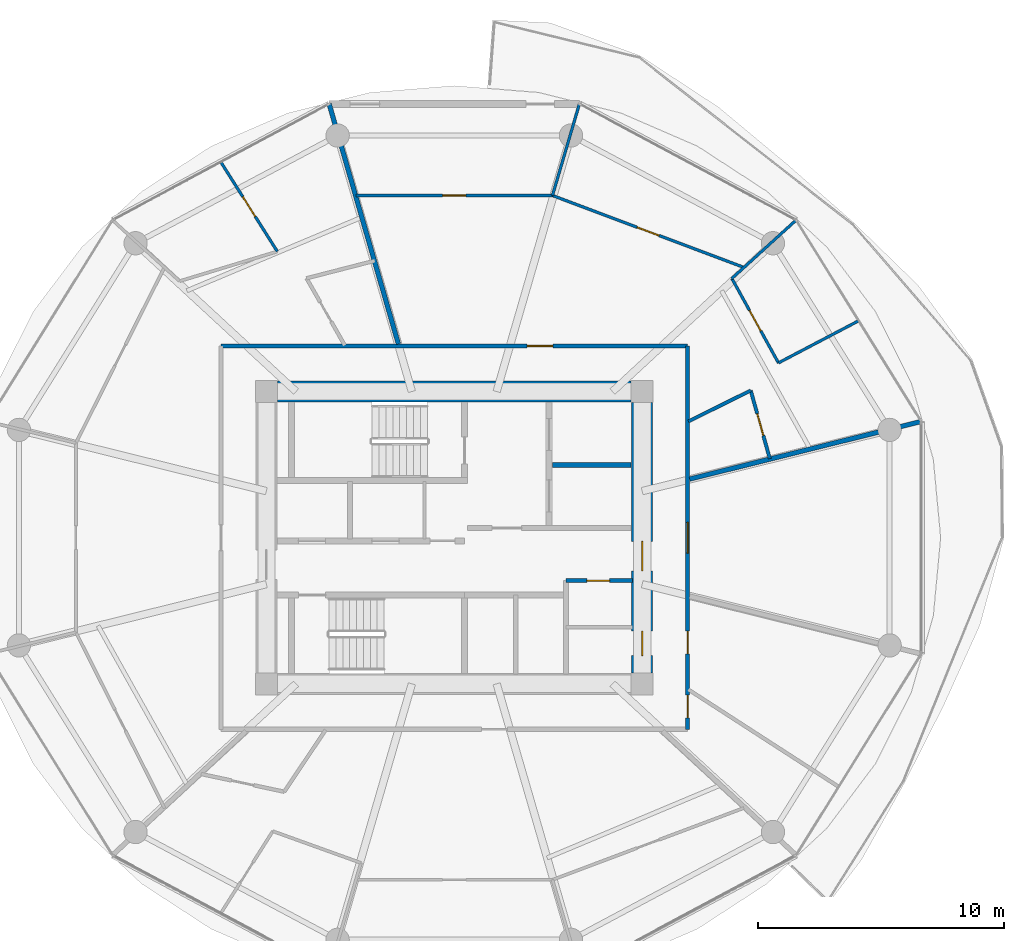
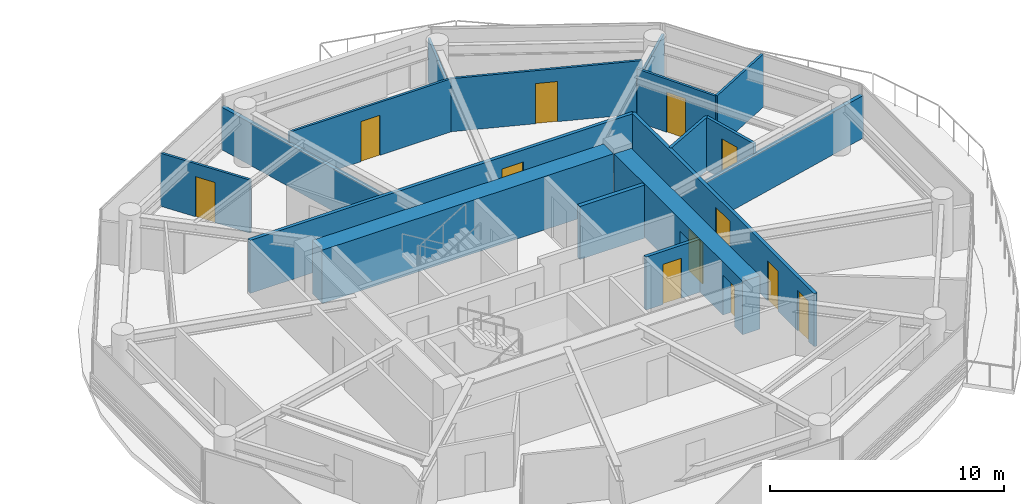
# One storey, part 21 of 28: 17 walls, 12 doors, 12 openings.
"""IFC4 building model written with IfcOpenShell, lengths in metres."""

from ifc_helpers import new_model, si_unit, direction, frame, frame_2d, origin, place, context, subcontext, project, spatial, rectangle, extrude, source, transform, mapped, material, layer, layer_set, type_object, type_shapes, element, fill, save


model = new_model("IFC4")

# Units and contexts
model_context = context("Model", 3, precision=1e-05, world=origin(), true_north=direction((0.0, 1.0)))
body_context = subcontext(model_context, "Body", "Model", "MODEL_VIEW")
ifc_project = project(units=[si_unit("LENGTHUNIT", "METRE"), si_unit("AREAUNIT", "SQUARE_METRE"), si_unit("VOLUMEUNIT", "CUBIC_METRE"), si_unit("PLANEANGLEUNIT", "RADIAN"), si_unit("MASSUNIT", "GRAM", prefix="KILO")], contexts=[model_context])

# Site, building, storey
site_placement = place(None, origin())
site = spatial("IfcSite", under=ifc_project, at=site_placement, CompositionType="ELEMENT")
building_placement = place(site_placement, origin())
building = spatial("IfcBuilding", under=site, at=building_placement, Name="Norrkilde Senior Care Towers", CompositionType="ELEMENT")
storey_placement = place(building_placement, frame((0.0, 0.0, 39.89990234375)))
storey = spatial("IfcBuildingStorey", under=building, at=storey_placement, Name="L11", CompositionType="ELEMENT", Elevation=39.89990234375)

# Wall
ifc_material_1 = material(Name="Concrete C60/75", Category="concrete")
ifc_layer_1 = layer(ifc_material_1, 0.85009765625)
ifc_layer_set_1 = layer_set([ifc_layer_1], Name="Concrete C60/75")
wall_type_1 = type_object("IfcWallType", Name="Core Shear Wall Z1 850", PredefinedType="SHEAR", material=ifc_layer_set_1)
shared_shape_1 = source(origin(), body_context, "Body", "SweptSolid", [
    extrude(rectangle(XDim=14.39990234375, YDim=0.85009765625, at=frame_2d((7.199951171875, 0.0))), origin(), (0.0, 0.0, 1.0), 2.7900390625),
])
wall_1_placement = place(storey_placement, frame((20.800048828125, 5.949951171875, 0.0), z_axis=(0.0, 0.0, 1.0), x_axis=(1.0, 0.0, 0.0)))
element("IfcWall", 1, at=wall_1_placement, inside=storey, type_object=wall_type_1, Name="L11 Core E North Shear Wall", PredefinedType="SHEAR", context=body_context, shape_type="MappedRepresentation", body=[
    mapped(shared_shape_1, transform((0.0, 0.0, 0.0), x_axis=(1.0, 0.0, 0.0), y_axis=(0.0, 1.0, 0.0), z_axis=(0.0, 0.0, 1.0), scale=1.0)),
])

# Wall, openings, doors
shared_shape_2 = source(origin(), body_context, "Body", "SweptSolid", [
    extrude(rectangle(XDim=11.0, YDim=0.85009765625, at=frame_2d((5.5, 0.0))), origin(), (0.0, 0.0, 1.0), 2.7900390625),
])
type_shapes(wall_type_1, [shared_shape_1, shared_shape_2])
wall_2_placement = place(storey_placement, frame((35.64990234375, 5.5, 0.0), z_axis=(0.0, 0.0, 1.0), x_axis=(0.0, -1.0, 0.0)))
wall_2 = element("IfcWall", 2, at=wall_2_placement, inside=storey, type_object=wall_type_1, Name="L11 Core E East Shear Wall", PredefinedType="SHEAR", context=body_context, shape_type="MappedRepresentation", body=[
    mapped(shared_shape_2, transform((0.0, 0.0, 0.0), x_axis=(1.0, 0.0, 0.0), y_axis=(0.0, 1.0, 0.0), z_axis=(0.0, 0.0, 1.0), scale=1.0)),
])
opening_1_placement = place(wall_2_placement, frame((5.64990234375, 0.0, 0.0)))
opening_1 = element("IfcOpeningElement", 3, at=opening_1_placement, cuts=wall_2, Name="Opening D-04", PredefinedType="OPENING", context=body_context, shape_type="SweptSolid", body=[
    extrude(rectangle(XDim=1.199951171875, YDim=2.14990234375, at=frame_2d((0.60009765625, 1.074951171875))), frame((0.0, 0.43505859375, 0.0), z_axis=(0.0, -1.0, 0.0), x_axis=(1.0, 0.0, 0.0)), (0.0, 0.0, 1.0), 0.8701171875),
])
opening_2_placement = place(wall_2_placement, frame((9.300048828125, 0.0, 0.0)))
opening_2 = element("IfcOpeningElement", 4, at=opening_2_placement, cuts=wall_2, Name="Opening D-10", PredefinedType="OPENING", context=body_context, shape_type="SweptSolid", body=[
    extrude(rectangle(XDim=1.0, YDim=2.10009765625, at=frame_2d((0.5, 1.050048828125))), frame((0.0, 0.43505859375, 0.0), z_axis=(0.0, -1.0, 0.0), x_axis=(1.0, 0.0, 0.0)), (0.0, 0.0, 1.0), 0.8701171875),
])
ifc_material_2 = material(Name="Galvanised Painted Steel", Category="steel")
door_type_1 = type_object("IfcDoorType", Name="Firefighting Lobby Fire Door 1200x2150", OperationType="NOTDEFINED", PredefinedType="DOOR", material=ifc_material_2)
shared_shape_3 = source(origin(), body_context, "Body", "SweptSolid", [
    extrude(rectangle(XDim=1.199951171875, YDim=2.14990234375, at=frame_2d((0.60009765625, 1.074951171875))), frame((0.0, 0.02490234375, 0.0), z_axis=(0.0, -1.0, 0.0), x_axis=(1.0, 0.0, 0.0)), (0.0, 0.0, 1.0), 0.050048828125),
])
type_shapes(door_type_1, [shared_shape_3])
door_1_placement = place(opening_1_placement, frame((1.199951171875, 0.0, 0.0), z_axis=(0.0, 0.0, 1.0), x_axis=(-1.0, 0.0, 0.0)))
door_1 = element("IfcDoor", 5, at=door_1_placement, inside=storey, type_object=door_type_1, Name="L11 Core E East Portal Door", OperationType="SINGLE_SWING_RIGHT", OverallHeight=2.14990234375, OverallWidth=1.199951171875, PredefinedType="DOOR", context=body_context, shape_type="MappedRepresentation", body=[
    mapped(shared_shape_3, transform((0.0, 0.0, 0.0), x_axis=(1.0, 0.0, 0.0), y_axis=(0.0, 1.0, 0.0), z_axis=(0.0, 0.0, 1.0), scale=1.0)),
])
fill(opening_1, door_1)
door_type_2 = type_object("IfcDoorType", Name="Plant and Riser Rated Door 1000x2100", OperationType="NOTDEFINED", PredefinedType="DOOR", material=ifc_material_2)
shared_shape_4 = source(origin(), body_context, "Body", "SweptSolid", [
    extrude(rectangle(XDim=1.0, YDim=2.10009765625, at=frame_2d((0.5, 1.050048828125))), frame((0.0, 0.02490234375, 0.0), z_axis=(0.0, -1.0, 0.0), x_axis=(1.0, 0.0, 0.0)), (0.0, 0.0, 1.0), 0.050048828125),
])
type_shapes(door_type_2, [shared_shape_4])
door_2_placement = place(opening_2_placement, frame((1.0, 0.0, 0.0), z_axis=(0.0, 0.0, 1.0), x_axis=(-1.0, 0.0, 0.0)))
door_2 = element("IfcDoor", 6, at=door_2_placement, inside=storey, type_object=door_type_2, Name="L11 Ventilation Riser E Door", OperationType="SINGLE_SWING_RIGHT", OverallHeight=2.10009765625, OverallWidth=1.0, PredefinedType="DOOR", context=body_context, shape_type="MappedRepresentation", body=[
    mapped(shared_shape_4, transform((0.0, 0.0, 0.0), x_axis=(1.0, 0.0, 0.0), y_axis=(0.0, 1.0, 0.0), z_axis=(0.0, 0.0, 1.0), scale=1.0)),
])
fill(opening_2, door_2)

# Wall
ifc_material_3 = material(Name="Concrete C45/55", Category="concrete")
ifc_layer_2 = layer(ifc_material_3, 0.199951171875)
ifc_layer_set_2 = layer_set([ifc_layer_2], Name="Concrete C45/55")
wall_type_2 = type_object("IfcWallType", Name="Shaft Division and Plant Partition 200", PredefinedType="PARTITIONING", material=ifc_layer_set_2)
shared_shape_5 = source(origin(), body_context, "Body", "SweptSolid", [
    extrude(rectangle(XDim=3.199951171875, YDim=0.199951171875, at=frame_2d((1.60009765625, 0.0))), origin(), (0.0, 0.0, 1.0), 2.775146484375),
])
type_shapes(wall_type_2, [shared_shape_5])
wall_3_placement = place(storey_placement, frame((32.0, 2.949951171875, 0.0), z_axis=(0.0, 0.0, 1.0), x_axis=(1.0, 0.0, 0.0)))
element("IfcWall", 7, at=wall_3_placement, inside=storey, type_object=wall_type_2, Name="WL-INT-L11-E-FFLDIV", PredefinedType="PARTITIONING", context=body_context, shape_type="MappedRepresentation", body=[
    mapped(shared_shape_5, transform((0.0, 0.0, 0.0), x_axis=(1.0, 0.0, 0.0), y_axis=(0.0, 1.0, 0.0), z_axis=(0.0, 0.0, 1.0), scale=1.0)),
])

# Wall, opening, door
ifc_material_4 = material(Name="Gypsum Acoustic Board")
ifc_layer_3 = layer(ifc_material_4, 0.1650390625)
ifc_layer_set_3 = layer_set([ifc_layer_3], Name="Gypsum Acoustic Board")
wall_type_3 = type_object("IfcWallType", Name="Corridor Rated Partition 165", PredefinedType="PARTITIONING", material=ifc_layer_set_3)
shared_shape_6 = source(origin(), body_context, "Body", "SweptSolid", [
    extrude(rectangle(XDim=2.699951171875, YDim=0.1650390625, at=frame_2d((1.35009765625, 0.0))), origin(), (0.0, 0.0, 1.0), 2.775146484375),
])
wall_4_placement = place(storey_placement, frame((32.550048828125, -1.75, 0.0), z_axis=(0.0, 0.0, 1.0), x_axis=(1.0, 0.0, 0.0)))
wall_4 = element("IfcWall", 8, at=wall_4_placement, inside=storey, type_object=wall_type_3, Name="WL-INT-L11-E-CSN", PredefinedType="PARTITIONING", context=body_context, shape_type="MappedRepresentation", body=[
    mapped(shared_shape_6, transform((0.0, 0.0, 0.0), x_axis=(1.0, 0.0, 0.0), y_axis=(0.0, 1.0, 0.0), z_axis=(0.0, 0.0, 1.0), scale=1.0)),
])
opening_3_placement = place(wall_4_placement, frame((0.85009765625, 0.0, 0.0)))
opening_3 = element("IfcOpeningElement", 9, at=opening_3_placement, cuts=wall_4, Name="Opening D-12", PredefinedType="OPENING", context=body_context, shape_type="SweptSolid", body=[
    extrude(rectangle(XDim=0.925048828125, YDim=2.10009765625, at=frame_2d((0.46240234375, 1.050048828125))), frame((0.0, 0.092529296875, 0.0), z_axis=(0.0, -1.0, 0.0), x_axis=(1.0, 0.0, 0.0)), (0.0, 0.0, 1.0), 0.18505859375),
])
door_type_3 = type_object("IfcDoorType", Name="Core Wet Room Rated Door 925x2100", OperationType="NOTDEFINED", PredefinedType="DOOR", material=ifc_material_2)
shared_shape_7 = source(origin(), body_context, "Body", "SweptSolid", [
    extrude(rectangle(XDim=0.925048828125, YDim=2.10009765625, at=frame_2d((0.46240234375, 1.050048828125))), frame((0.0, 0.02490234375, 0.0), z_axis=(0.0, -1.0, 0.0), x_axis=(1.0, 0.0, 0.0)), (0.0, 0.0, 1.0), 0.050048828125),
])
type_shapes(door_type_3, [shared_shape_7])
door_3_placement = place(opening_3_placement, origin())
door_3 = element("IfcDoor", 10, at=door_3_placement, inside=storey, type_object=door_type_3, Name="L11 Staff WC E Door", OperationType="SINGLE_SWING_LEFT", OverallHeight=2.10009765625, OverallWidth=0.925048828125, PredefinedType="DOOR", context=body_context, shape_type="MappedRepresentation", body=[
    mapped(shared_shape_7, transform((0.0, 0.0, 0.0), x_axis=(1.0, 0.0, 0.0), y_axis=(0.0, 1.0, 0.0), z_axis=(0.0, 0.0, 1.0), scale=1.0)),
])
fill(opening_3, door_3)

shared_shape_8 = source(origin(), body_context, "Body", "SweptSolid", [
    extrude(rectangle(XDim=19.0, YDim=0.1650390625, at=frame_2d((9.5, 0.0))), origin(), (0.0, 0.0, 1.0), 2.775146484375),
])
wall_5_placement = place(storey_placement, frame((18.5, 7.800048828125, 0.0), z_axis=(0.0, 0.0, 1.0), x_axis=(1.0, 0.0, 0.0)))
wall_5 = element("IfcWall", 11, at=wall_5_placement, inside=storey, type_object=wall_type_3, Name="WL-INT-L11-E-CRW-N-0", PredefinedType="PARTITIONING", context=body_context, shape_type="MappedRepresentation", body=[
    mapped(shared_shape_8, transform((0.0, 0.0, 0.0), x_axis=(1.0, 0.0, 0.0), y_axis=(0.0, 1.0, 0.0), z_axis=(0.0, 0.0, 1.0), scale=1.0)),
])
opening_4_placement = place(wall_5_placement, frame((12.462158203125, 0.0, 0.0)))
opening_4 = element("IfcOpeningElement", 12, at=opening_4_placement, cuts=wall_5, Name="Opening D-06", PredefinedType="OPENING", context=body_context, shape_type="SweptSolid", body=[
    extrude(rectangle(XDim=1.050048828125, YDim=2.14990234375, at=frame_2d((0.52490234375, 1.074951171875))), frame((0.0, 0.092529296875, 0.0), z_axis=(0.0, -1.0, 0.0), x_axis=(1.0, 0.0, 0.0)), (0.0, 0.0, 1.0), 0.18505859375),
])
ifc_material_5 = material(Name="Nordic Ash Timber", Category="wood")
door_type_4 = type_object("IfcDoorType", Name="Apartment Entrance Fire Door 1050x2150", OperationType="NOTDEFINED", PredefinedType="DOOR", material=ifc_material_5)
shared_shape_9 = source(origin(), body_context, "Body", "SweptSolid", [
    extrude(rectangle(XDim=1.050048828125, YDim=2.14990234375, at=frame_2d((0.52490234375, 1.074951171875))), frame((0.0, 0.02490234375, 0.0), z_axis=(0.0, -1.0, 0.0), x_axis=(1.0, 0.0, 0.0)), (0.0, 0.0, 1.0), 0.050048828125),
])
type_shapes(door_type_4, [shared_shape_9])
door_4_placement = place(opening_4_placement, frame((1.050048828125, 0.0, 0.0), z_axis=(0.0, 0.0, 1.0), x_axis=(-1.0, 0.0, 0.0)))
door_4 = element("IfcDoor", 13, at=door_4_placement, inside=storey, type_object=door_type_4, Name="Apartment 11E Entrance Door", OperationType="SINGLE_SWING_LEFT", OverallHeight=2.14990234375, OverallWidth=1.050048828125, PredefinedType="DOOR", context=body_context, shape_type="MappedRepresentation", body=[
    mapped(shared_shape_9, transform((0.0, 0.0, 0.0), x_axis=(1.0, 0.0, 0.0), y_axis=(0.0, 1.0, 0.0), z_axis=(0.0, 0.0, 1.0), scale=1.0)),
])
fill(opening_4, door_4)

# Wall, openings, doors
shared_shape_10 = source(origin(), body_context, "Body", "SweptSolid", [
    extrude(rectangle(XDim=15.60009765625, YDim=0.1650390625, at=frame_2d((7.800048828125, 0.0))), origin(), (0.0, 0.0, 1.0), 2.775146484375),
])
type_shapes(wall_type_3, [shared_shape_6, shared_shape_8, shared_shape_10])
wall_6_placement = place(storey_placement, frame((37.5, 7.800048828125, 0.0), z_axis=(0.0, 0.0, 1.0), x_axis=(0.0, -1.0, 0.0)))
wall_6 = element("IfcWall", 14, at=wall_6_placement, inside=storey, type_object=wall_type_3, Name="WL-INT-L11-E-CRW-E-0", PredefinedType="PARTITIONING", context=body_context, shape_type="MappedRepresentation", body=[
    mapped(shared_shape_10, transform((0.0, 0.0, 0.0), x_axis=(1.0, 0.0, 0.0), y_axis=(0.0, 1.0, 0.0), z_axis=(0.0, 0.0, 1.0), scale=1.0)),
])
opening_5_placement = place(wall_6_placement, frame((14.214599609375, 0.0, 0.0)))
opening_5 = element("IfcOpeningElement", 15, at=opening_5_placement, cuts=wall_6, Name="Opening D-08", PredefinedType="OPENING", context=body_context, shape_type="SweptSolid", body=[
    extrude(rectangle(XDim=0.919921875, YDim=2.10009765625, at=frame_2d((0.4599609375, 1.050048828125))), frame((0.0, 0.092529296875, 0.0), z_axis=(0.0, -1.0, 0.0), x_axis=(1.0, 0.0, 0.0)), (0.0, 0.0, 1.0), 0.18505859375),
])
opening_6_placement = place(wall_6_placement, frame((11.609130859375, 0.0, 0.0)))
opening_6 = element("IfcOpeningElement", 16, at=opening_6_placement, cuts=wall_6, Name="Opening D-08", PredefinedType="OPENING", context=body_context, shape_type="SweptSolid", body=[
    extrude(rectangle(XDim=0.919921875, YDim=2.10009765625, at=frame_2d((0.4599609375, 1.050048828125))), frame((0.0, 0.092529296875, 0.0), z_axis=(0.0, -1.0, 0.0), x_axis=(1.0, 0.0, 0.0)), (0.0, 0.0, 1.0), 0.18505859375),
])
opening_7_placement = place(wall_6_placement, frame((7.175048828125, 0.0, 0.0)))
opening_7 = element("IfcOpeningElement", 17, at=opening_7_placement, cuts=wall_6, Name="Opening D-05", PredefinedType="OPENING", context=body_context, shape_type="SweptSolid", body=[
    extrude(rectangle(XDim=1.25, YDim=2.199951171875, at=frame_2d((0.625, 1.10009765625))), frame((0.0, 0.092529296875, 0.0), z_axis=(0.0, -1.0, 0.0), x_axis=(1.0, 0.0, 0.0)), (0.0, 0.0, 1.0), 0.18505859375),
])
door_type_5 = type_object("IfcDoorType", Name="Care Bedroom Bariatric Door 1250x2200", OperationType="NOTDEFINED", PredefinedType="DOOR", material=ifc_material_5)
shared_shape_11 = source(origin(), body_context, "Body", "SweptSolid", [
    extrude(rectangle(XDim=1.25, YDim=2.199951171875, at=frame_2d((0.625, 1.10009765625))), frame((0.0, 0.02490234375, 0.0), z_axis=(0.0, -1.0, 0.0), x_axis=(1.0, 0.0, 0.0)), (0.0, 0.0, 1.0), 0.050048828125),
])
type_shapes(door_type_5, [shared_shape_11])
door_5_placement = place(opening_7_placement, frame((1.25, 0.0, 0.0), z_axis=(0.0, 0.0, 1.0), x_axis=(-1.0, 0.0, 0.0)))
door_5 = element("IfcDoor", 18, at=door_5_placement, inside=storey, type_object=door_type_5, Name="L11 Senior Wellness Library Lounge Door", OperationType="SINGLE_SWING_RIGHT", OverallHeight=2.199951171875, OverallWidth=1.25, PredefinedType="DOOR", context=body_context, shape_type="MappedRepresentation", body=[
    mapped(shared_shape_11, transform((0.0, 0.0, 0.0), x_axis=(1.0, 0.0, 0.0), y_axis=(0.0, 1.0, 0.0), z_axis=(0.0, 0.0, 1.0), scale=1.0)),
])
fill(opening_7, door_5)
door_type_6 = type_object("IfcDoorType", Name="Accessible Wet Room Door 920x2100", OperationType="NOTDEFINED", PredefinedType="DOOR", material=ifc_material_5)
shared_shape_12 = source(origin(), body_context, "Body", "SweptSolid", [
    extrude(rectangle(XDim=0.919921875, YDim=2.10009765625, at=frame_2d((0.4599609375, 1.050048828125))), frame((0.0, 0.02490234375, 0.0), z_axis=(0.0, -1.0, 0.0), x_axis=(1.0, 0.0, 0.0)), (0.0, 0.0, 1.0), 0.050048828125),
])
type_shapes(door_type_6, [shared_shape_12])
door_6_placement = place(opening_5_placement, frame((0.919921875, 0.0, 0.0), z_axis=(0.0, 0.0, 1.0), x_axis=(-1.0, 0.0, 0.0)))
door_6 = element("IfcDoor", 19, at=door_6_placement, inside=storey, type_object=door_type_6, Name="L11 Accessible Restroom Door", OperationType="SINGLE_SWING_LEFT", OverallHeight=2.10009765625, OverallWidth=0.919921875, PredefinedType="DOOR", context=body_context, shape_type="MappedRepresentation", body=[
    mapped(shared_shape_12, transform((0.0, 0.0, 0.0), x_axis=(1.0, 0.0, 0.0), y_axis=(0.0, 1.0, 0.0), z_axis=(0.0, 0.0, 1.0), scale=1.0)),
])
fill(opening_5, door_6)
door_7_placement = place(opening_6_placement, frame((0.919921875, 0.0, 0.0), z_axis=(0.0, 0.0, 1.0), x_axis=(-1.0, 0.0, 0.0)))
door_7 = element("IfcDoor", 20, at=door_7_placement, inside=storey, type_object=door_type_6, Name="L11 Public Restroom Door", OperationType="SINGLE_SWING_RIGHT", OverallHeight=2.10009765625, OverallWidth=0.919921875, PredefinedType="DOOR", context=body_context, shape_type="MappedRepresentation", body=[
    mapped(shared_shape_12, transform((0.0, 0.0, 0.0), x_axis=(1.0, 0.0, 0.0), y_axis=(0.0, 1.0, 0.0), z_axis=(0.0, 0.0, 1.0), scale=1.0)),
])
fill(opening_6, door_7)

# Walls
ifc_layer_4 = layer(ifc_material_4, 0.18994140625)
ifc_layer_set_4 = layer_set([ifc_layer_4], Name="Gypsum Acoustic Board")
wall_type_4 = type_object("IfcWallType", Name="Unit Demising Acoustic Wall 190", PredefinedType="PARTITIONING", material=ifc_layer_set_4)
shared_shape_13 = source(origin(), body_context, "Body", "SweptSolid", [
    extrude(rectangle(XDim=10.196044921875, YDim=0.18994140625, at=frame_2d((5.09814453125, 0.0))), origin(), (0.0, 0.0, 1.0), 2.22509765625),
])
wall_7_placement = place(storey_placement, frame((25.72705078125, 7.8798828125, 0.0), z_axis=(0.0, 0.0, 1.0), x_axis=(-0.277136420347, 0.960830580549, 0.0)))
element("IfcWall", 21, at=wall_7_placement, inside=storey, type_object=wall_type_4, Name="WL-INT-L11-E-DEM-03-0", PredefinedType="PARTITIONING", context=body_context, shape_type="MappedRepresentation", body=[
    mapped(shared_shape_13, transform((0.0, 0.0, 0.0), x_axis=(1.0, 0.0, 0.0), y_axis=(0.0, 1.0, 0.0), z_axis=(0.0, 0.0, 1.0), scale=1.0)),
])
shared_shape_14 = source(origin(), body_context, "Body", "SweptSolid", [
    extrude(rectangle(XDim=9.737060546875, YDim=0.18994140625, at=frame_2d((4.86865234375, 0.0))), origin(), (0.0, 0.0, 1.0), 2.22509765625),
])
type_shapes(wall_type_4, [shared_shape_13, shared_shape_14])
wall_8_placement = place(storey_placement, frame((37.580078125, 2.384521484375, 0.0), z_axis=(0.0, 0.0, 1.0), x_axis=(0.970392716238, 0.241532557375, 0.0)))
element("IfcWall", 22, at=wall_8_placement, inside=storey, type_object=wall_type_4, Name="WL-INT-L11-E-DEM-00-0", PredefinedType="PARTITIONING", context=body_context, shape_type="MappedRepresentation", body=[
    mapped(shared_shape_14, transform((0.0, 0.0, 0.0), x_axis=(1.0, 0.0, 0.0), y_axis=(0.0, 1.0, 0.0), z_axis=(0.0, 0.0, 1.0), scale=1.0)),
])

# Wall, opening, door
ifc_layer_5 = layer(ifc_material_4, 0.114990234375)
ifc_layer_set_5 = layer_set([ifc_layer_5], Name="Gypsum Acoustic Board")
wall_type_5 = type_object("IfcWallType", Name="Internal Room Partition 115", PredefinedType="PARTITIONING", material=ifc_layer_set_5)
shared_shape_15 = source(origin(), body_context, "Body", "SweptSolid", [
    extrude(rectangle(XDim=7.99267578125, YDim=0.114990234375, at=frame_2d((3.996337890625, 0.0))), origin(), (0.0, 0.0, 1.0), 2.775146484375),
])
wall_9_placement = place(storey_placement, frame((31.996337890625, 13.927001953125, 0.0), z_axis=(0.0, 0.0, 1.0), x_axis=(-1.0, 0.0, 0.0)))
wall_9 = element("IfcWall", 23, at=wall_9_placement, inside=storey, type_object=wall_type_5, Name="WL-INT-L11-E-UBC-00-2", PredefinedType="PARTITIONING", context=body_context, shape_type="MappedRepresentation", body=[
    mapped(shared_shape_15, transform((0.0, 0.0, 0.0), x_axis=(1.0, 0.0, 0.0), y_axis=(0.0, 1.0, 0.0), z_axis=(0.0, 0.0, 1.0), scale=1.0)),
])
opening_8_placement = place(wall_9_placement, frame((3.521484375, 0.0, 0.0)))
opening_8 = element("IfcOpeningElement", 24, at=opening_8_placement, cuts=wall_9, Name="Opening D-07", PredefinedType="OPENING", context=body_context, shape_type="SweptSolid", body=[
    extrude(rectangle(XDim=0.949951171875, YDim=2.10009765625, at=frame_2d((0.47509765625, 1.050048828125))), frame((0.0, 0.0673828125, 0.0), z_axis=(0.0, -1.0, 0.0), x_axis=(1.0, 0.0, 0.0)), (0.0, 0.0, 1.0), 0.135009765625),
])
door_type_7 = type_object("IfcDoorType", Name="Internal Suite Bedroom Door 950x2100", OperationType="NOTDEFINED", PredefinedType="DOOR", material=ifc_material_5)
shared_shape_16 = source(origin(), body_context, "Body", "SweptSolid", [
    extrude(rectangle(XDim=0.949951171875, YDim=2.10009765625, at=frame_2d((0.47509765625, 1.050048828125))), frame((0.0, 0.02490234375, 0.0), z_axis=(0.0, -1.0, 0.0), x_axis=(1.0, 0.0, 0.0)), (0.0, 0.0, 1.0), 0.050048828125),
])
type_shapes(door_type_7, [shared_shape_16])
door_8_placement = place(opening_8_placement, frame((0.949951171875, 0.0, 0.0), z_axis=(0.0, 0.0, 1.0), x_axis=(-1.0, 0.0, 0.0)))
door_8 = element("IfcDoor", 25, at=door_8_placement, inside=storey, type_object=door_type_7, Name="Apartment 11E Bedroom 2 Door", OperationType="SINGLE_SWING_LEFT", OverallHeight=2.10009765625, OverallWidth=0.949951171875, PredefinedType="DOOR", context=body_context, shape_type="MappedRepresentation", body=[
    mapped(shared_shape_16, transform((0.0, 0.0, 0.0), x_axis=(1.0, 0.0, 0.0), y_axis=(0.0, 1.0, 0.0), z_axis=(0.0, 0.0, 1.0), scale=1.0)),
])
fill(opening_8, door_8)

shared_shape_17 = source(origin(), body_context, "Body", "SweptSolid", [
    extrude(rectangle(XDim=8.31982421875, YDim=0.114990234375, at=frame_2d((4.159912109375, 0.0))), origin(), (0.0, 0.0, 1.0), 2.775146484375),
])
wall_10_placement = place(storey_placement, frame((39.7861328125, 11.005615234375, 0.0), z_axis=(0.0, 0.0, 1.0), x_axis=(-0.936180763098, 0.351518959382, 0.0)))
wall_10 = element("IfcWall", 26, at=wall_10_placement, inside=storey, type_object=wall_type_5, Name="WL-INT-L11-E-UBC-00-1", PredefinedType="PARTITIONING", context=body_context, shape_type="MappedRepresentation", body=[
    mapped(shared_shape_17, transform((0.0, 0.0, 0.0), x_axis=(1.0, 0.0, 0.0), y_axis=(0.0, 1.0, 0.0), z_axis=(0.0, 0.0, 1.0), scale=1.0)),
])
opening_9_placement = place(wall_10_placement, frame((3.684814453125, 0.0, 0.0)))
opening_9 = element("IfcOpeningElement", 27, at=opening_9_placement, cuts=wall_10, Name="Opening D-07", PredefinedType="OPENING", context=body_context, shape_type="SweptSolid", body=[
    extrude(rectangle(XDim=0.949951171875, YDim=2.10009765625, at=frame_2d((0.47509765625, 1.050048828125))), frame((0.0, 0.0673828125, 0.0), z_axis=(0.0, -1.0, 0.0), x_axis=(1.0, 0.0, 0.0)), (0.0, 0.0, 1.0), 0.135009765625),
])
door_9_placement = place(opening_9_placement, origin())
door_9 = element("IfcDoor", 28, at=door_9_placement, inside=storey, type_object=door_type_7, Name="Apartment 11E Bedroom 1 Door", OperationType="SINGLE_SWING_RIGHT", OverallHeight=2.10009765625, OverallWidth=0.949951171875, PredefinedType="DOOR", context=body_context, shape_type="MappedRepresentation", body=[
    mapped(shared_shape_16, transform((0.0, 0.0, 0.0), x_axis=(1.0, 0.0, 0.0), y_axis=(0.0, 1.0, 0.0), z_axis=(0.0, 0.0, 1.0), scale=1.0)),
])
fill(opening_9, door_9)

shared_shape_18 = source(origin(), body_context, "Body", "SweptSolid", [
    extrude(rectangle(XDim=4.326416015625, YDim=0.114990234375, at=frame_2d((2.1630859375, 0.0))), origin(), (0.0, 0.0, 1.0), 2.775146484375),
])
wall_11_placement = place(storey_placement, frame((20.79638671875, 11.650634765625, 0.0), z_axis=(0.0, 0.0, 1.0), x_axis=(-0.534101263803, 0.845420510755, 0.0)))
wall_11 = element("IfcWall", 29, at=wall_11_placement, inside=storey, type_object=wall_type_5, Name="WL-INT-L11-E-UKTS-03", PredefinedType="PARTITIONING", context=body_context, shape_type="MappedRepresentation", body=[
    mapped(shared_shape_18, transform((0.0, 0.0, 0.0), x_axis=(1.0, 0.0, 0.0), y_axis=(0.0, 1.0, 0.0), z_axis=(0.0, 0.0, 1.0), scale=1.0)),
])
opening_10_placement = place(wall_11_placement, frame((1.688232421875, 0.0, 0.0)))
opening_10 = element("IfcOpeningElement", 30, at=opening_10_placement, cuts=wall_11, Name="Opening D-07", PredefinedType="OPENING", context=body_context, shape_type="SweptSolid", body=[
    extrude(rectangle(XDim=0.949951171875, YDim=2.10009765625, at=frame_2d((0.47509765625, 1.050048828125))), frame((0.0, 0.0673828125, 0.0), z_axis=(0.0, -1.0, 0.0), x_axis=(1.0, 0.0, 0.0)), (0.0, 0.0, 1.0), 0.135009765625),
])
door_10_placement = place(opening_10_placement, frame((0.949951171875, 0.0, 0.0), z_axis=(0.0, 0.0, 1.0), x_axis=(-1.0, 0.0, 0.0)))
door_10 = element("IfcDoor", 31, at=door_10_placement, inside=storey, type_object=door_type_7, Name="Apartment 11A Kitchen Door", OperationType="SINGLE_SWING_RIGHT", OverallHeight=2.10009765625, OverallWidth=0.949951171875, PredefinedType="DOOR", context=body_context, shape_type="MappedRepresentation", body=[
    mapped(shared_shape_16, transform((0.0, 0.0, 0.0), x_axis=(1.0, 0.0, 0.0), y_axis=(0.0, 1.0, 0.0), z_axis=(0.0, 0.0, 1.0), scale=1.0)),
])
fill(opening_10, door_10)

# Walls
shared_shape_19 = source(origin(), body_context, "Body", "SweptSolid", [
    extrude(rectangle(XDim=3.562744140625, YDim=0.114990234375, at=frame_2d((1.78125, 0.0))), origin(), (0.0, 0.0, 1.0), 2.22509765625),
])
wall_12_placement = place(storey_placement, frame((39.29248046875, 10.544677734375, 0.0), z_axis=(0.0, 0.0, 1.0), x_axis=(0.740277955068, 0.672300936515, 0.0)))
element("IfcWall", 32, at=wall_12_placement, inside=storey, type_object=wall_type_5, Name="WL-INT-L11-E-UBR-00-1", PredefinedType="PARTITIONING", context=body_context, shape_type="MappedRepresentation", body=[
    mapped(shared_shape_19, transform((0.0, 0.0, 0.0), x_axis=(1.0, 0.0, 0.0), y_axis=(0.0, 1.0, 0.0), z_axis=(0.0, 0.0, 1.0), scale=1.0)),
])
shared_shape_20 = source(origin(), body_context, "Body", "SweptSolid", [
    extrude(rectangle(XDim=3.908203125, YDim=0.114990234375, at=frame_2d((1.9541015625, 0.0))), origin(), (0.0, 0.0, 1.0), 2.22509765625),
])
wall_13_placement = place(storey_placement, frame((31.996337890625, 13.927001953125, 0.0), z_axis=(0.0, 0.0, 1.0), x_axis=(0.282047948883, 0.959400309845, 0.0)))
element("IfcWall", 33, at=wall_13_placement, inside=storey, type_object=wall_type_5, Name="WL-INT-L11-E-UBR-00-2", PredefinedType="PARTITIONING", context=body_context, shape_type="MappedRepresentation", body=[
    mapped(shared_shape_20, transform((0.0, 0.0, 0.0), x_axis=(1.0, 0.0, 0.0), y_axis=(0.0, 1.0, 0.0), z_axis=(0.0, 0.0, 1.0), scale=1.0)),
])
ifc_layer_6 = layer(ifc_material_4, 0.139892578125)
ifc_layer_set_6 = layer_set([ifc_layer_6], Name="Gypsum Acoustic Board")
wall_type_6 = type_object("IfcWallType", Name="En-suite Wet Room Wall 140", PredefinedType="PARTITIONING", material=ifc_layer_set_6)
shared_shape_21 = source(origin(), body_context, "Body", "SweptSolid", [
    extrude(rectangle(XDim=2.83447265625, YDim=0.139892578125, at=frame_2d((1.417236328125, 0.0))), origin(), (0.0, 0.0, 1.0), 2.775146484375),
])
wall_14_placement = place(storey_placement, frame((37.530029296875, 4.731689453125, 0.0), z_axis=(0.0, 0.0, 1.0), x_axis=(0.895681174462, 0.444696788513, 0.0)))
element("IfcWall", 34, at=wall_14_placement, inside=storey, type_object=wall_type_6, Name="WL-INT-L11-E-UBTS-00", PredefinedType="PARTITIONING", context=body_context, shape_type="MappedRepresentation", body=[
    mapped(shared_shape_21, transform((0.0, 0.0, 0.0), x_axis=(1.0, 0.0, 0.0), y_axis=(0.0, 1.0, 0.0), z_axis=(0.0, 0.0, 1.0), scale=1.0)),
])

# Wall, opening, door
shared_shape_22 = source(origin(), body_context, "Body", "SweptSolid", [
    extrude(rectangle(XDim=2.884765625, YDim=0.139892578125, at=frame_2d((1.4423828125, 0.0))), origin(), (0.0, 0.0, 1.0), 2.775146484375),
])
type_shapes(wall_type_6, [shared_shape_21, shared_shape_22])
wall_15_placement = place(storey_placement, frame((40.06884765625, 5.9921875, 0.0), z_axis=(0.0, 0.0, 1.0), x_axis=(0.269799431837, -0.962916541856, 0.0)))
wall_15 = element("IfcWall", 35, at=wall_15_placement, inside=storey, type_object=wall_type_6, Name="WL-INT-L11-E-UBTF-00", PredefinedType="PARTITIONING", context=body_context, shape_type="MappedRepresentation", body=[
    mapped(shared_shape_22, transform((0.0, 0.0, 0.0), x_axis=(1.0, 0.0, 0.0), y_axis=(0.0, 1.0, 0.0), z_axis=(0.0, 0.0, 1.0), scale=1.0)),
])
opening_11_placement = place(wall_15_placement, frame((0.982421875, 0.0, 0.0)))
opening_11 = element("IfcOpeningElement", 36, at=opening_11_placement, cuts=wall_15, Name="Opening D-08", PredefinedType="OPENING", context=body_context, shape_type="SweptSolid", body=[
    extrude(rectangle(XDim=0.919921875, YDim=2.10009765625, at=frame_2d((0.4599609375, 1.050048828125))), frame((0.0, 0.079833984375, 0.0), z_axis=(0.0, -1.0, 0.0), x_axis=(1.0, 0.0, 0.0)), (0.0, 0.0, 1.0), 0.159912109375),
])
door_11_placement = place(opening_11_placement, origin())
door_11 = element("IfcDoor", 37, at=door_11_placement, inside=storey, type_object=door_type_6, Name="Apartment 11E Bathroom Door", OperationType="SINGLE_SWING_RIGHT", OverallHeight=2.10009765625, OverallWidth=0.919921875, PredefinedType="DOOR", context=body_context, shape_type="MappedRepresentation", body=[
    mapped(shared_shape_12, transform((0.0, 0.0, 0.0), x_axis=(1.0, 0.0, 0.0), y_axis=(0.0, 1.0, 0.0), z_axis=(0.0, 0.0, 1.0), scale=1.0)),
])
fill(opening_11, door_11)

# Wall
shared_shape_23 = source(origin(), body_context, "Body", "SweptSolid", [
    extrude(rectangle(XDim=3.706298828125, YDim=0.114990234375, at=frame_2d((1.85302734375, 0.0))), origin(), (0.0, 0.0, 1.0), 2.775146484375),
])
wall_16_placement = place(storey_placement, frame((41.197998046875, 7.115234375, 0.0), z_axis=(0.0, 0.0, 1.0), x_axis=(0.88538502503, 0.464858427322, 0.0)))
element("IfcWall", 38, at=wall_16_placement, inside=storey, type_object=wall_type_5, Name="WL-INT-L11-E-UKTS-00", PredefinedType="PARTITIONING", context=body_context, shape_type="MappedRepresentation", body=[
    mapped(shared_shape_23, transform((0.0, 0.0, 0.0), x_axis=(1.0, 0.0, 0.0), y_axis=(0.0, 1.0, 0.0), z_axis=(0.0, 0.0, 1.0), scale=1.0)),
])

# Wall, opening, door
shared_shape_24 = source(origin(), body_context, "Body", "SweptSolid", [
    extrude(rectangle(XDim=3.92626953125, YDim=0.114990234375, at=frame_2d((1.963134765625, 0.0))), origin(), (0.0, 0.0, 1.0), 2.775146484375),
])
type_shapes(wall_type_5, [shared_shape_15, shared_shape_17, shared_shape_18, shared_shape_19, shared_shape_20, shared_shape_23, shared_shape_24])
wall_17_placement = place(storey_placement, frame((41.197998046875, 7.115234375, 0.0), z_axis=(0.0, 0.0, 1.0), x_axis=(-0.483037889915, 0.875599450038, 0.0)))
wall_17 = element("IfcWall", 39, at=wall_17_placement, inside=storey, type_object=wall_type_5, Name="WL-INT-L11-E-UKTF-00", PredefinedType="PARTITIONING", context=body_context, shape_type="MappedRepresentation", body=[
    mapped(shared_shape_24, transform((0.0, 0.0, 0.0), x_axis=(1.0, 0.0, 0.0), y_axis=(0.0, 1.0, 0.0), z_axis=(0.0, 0.0, 1.0), scale=1.0)),
])
opening_12_placement = place(wall_17_placement, frame((1.488037109375, 0.0, 0.0)))
opening_12 = element("IfcOpeningElement", 40, at=opening_12_placement, cuts=wall_17, Name="Opening D-07", PredefinedType="OPENING", context=body_context, shape_type="SweptSolid", body=[
    extrude(rectangle(XDim=0.949951171875, YDim=2.10009765625, at=frame_2d((0.47509765625, 1.050048828125))), frame((0.0, 0.0673828125, 0.0), z_axis=(0.0, -1.0, 0.0), x_axis=(1.0, 0.0, 0.0)), (0.0, 0.0, 1.0), 0.135009765625),
])
door_12_placement = place(opening_12_placement, frame((0.949951171875, 0.0, 0.0), z_axis=(0.0, 0.0, 1.0), x_axis=(-1.0, 0.0, 0.0)))
door_12 = element("IfcDoor", 41, at=door_12_placement, inside=storey, type_object=door_type_7, Name="Apartment 11E Kitchen Door", OperationType="SINGLE_SWING_LEFT", OverallHeight=2.10009765625, OverallWidth=0.949951171875, PredefinedType="DOOR", context=body_context, shape_type="MappedRepresentation", body=[
    mapped(shared_shape_16, transform((0.0, 0.0, 0.0), x_axis=(1.0, 0.0, 0.0), y_axis=(0.0, 1.0, 0.0), z_axis=(0.0, 0.0, 1.0), scale=1.0)),
])
fill(opening_12, door_12)

save(model, "model.ifc")
